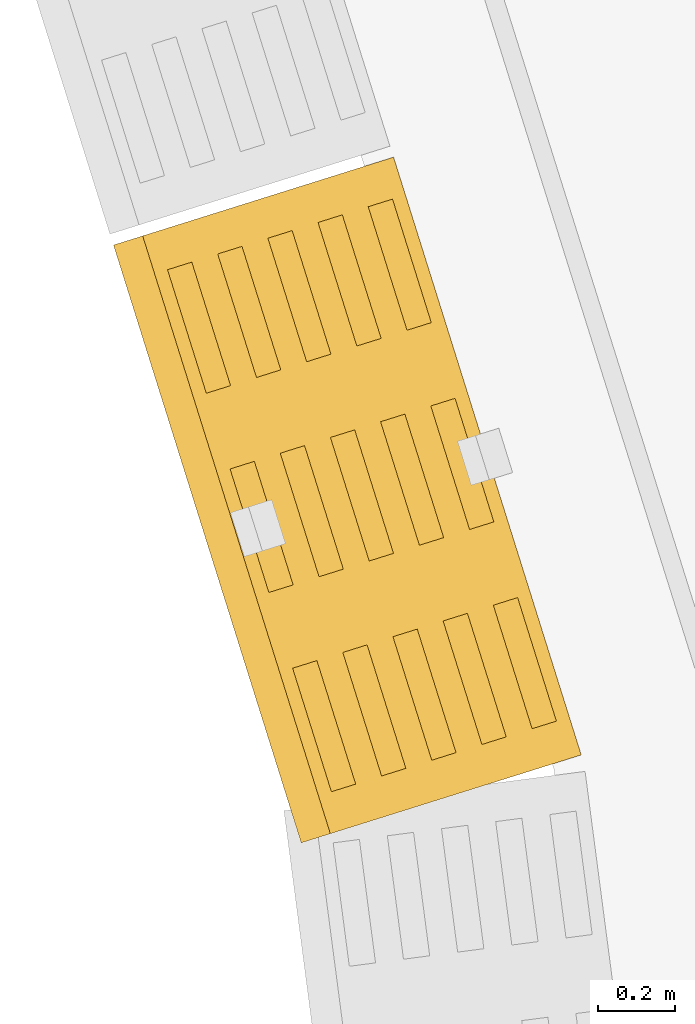
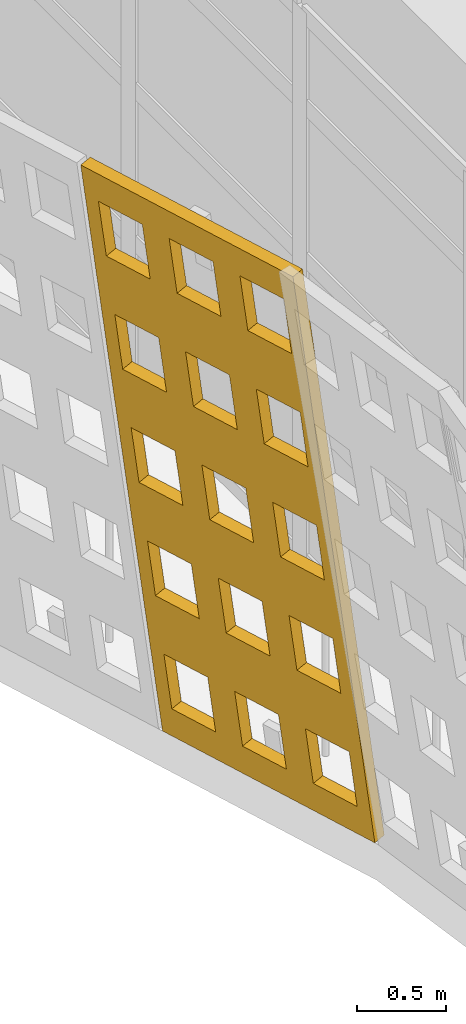
# One storey, part 152 of 163: 1 covering.
"""IFC4 building model written with IfcOpenShell, lengths in metres."""

from ifc_helpers import new_model, si_unit, direction, frame, origin, place, context, subcontext, project, spatial, polyline, outline, extrude, material, layer, layer_set, type_object, element, save


model = new_model("IFC4")

# Units and contexts
model_context = context("Model", 3, precision=1e-05, world=origin(), true_north=direction((0.0, 1.0)))
body_context = subcontext(model_context, "Body", "Model", "MODEL_VIEW")
ifc_project = project(units=[si_unit("LENGTHUNIT", "METRE"), si_unit("AREAUNIT", "SQUARE_METRE"), si_unit("VOLUMEUNIT", "CUBIC_METRE"), si_unit("PLANEANGLEUNIT", "RADIAN"), si_unit("MASSUNIT", "GRAM", prefix="KILO")], contexts=[model_context])

# Site, building, storey
site_placement = place(None, origin())
site = spatial("IfcSite", under=ifc_project, at=site_placement, CompositionType="ELEMENT")
building_placement = place(site_placement, origin())
building = spatial("IfcBuilding", under=site, at=building_placement, Name="Rain Tree Exposition and Congress Centre", CompositionType="ELEMENT")
storey_placement = place(building_placement, frame((0.0, 0.0, 10.5)))
storey = spatial("IfcBuildingStorey", under=building, at=storey_placement, Name="L02", CompositionType="ELEMENT", Elevation=10.5)

# Covering
ifc_material = material(Name="Perforated terracotta", Category="masonry")
ifc_layer = layer(ifc_material, 0.080078125)
ifc_layer_set = layer_set([ifc_layer], Name="Perforated terracotta")
covering_type = type_object("IfcCoveringType", Name="Terracotta screen 80", PredefinedType="CLADDING", material=ifc_layer_set)
covering_placement = place(storey_placement, frame((-1.8876953125, 28.35009765625, 0.0), z_axis=(0.942029390639, 0.295717964052, 0.158529217842), x_axis=(-0.29950542383, 0.954094597562, 0.0)))
element("IfcCovering", 1, at=covering_placement, inside=storey, type_object=covering_type, Name="wing/screen/L02/117", PredefinedType="CLADDING", context=body_context, shape_type="SweptSolid", body=[
    extrude(outline(polyline([(-1.635986328125, 0.0), (-1.635986328125, 4.291259765625), (-0.014892578125, 4.291259765625), (-0.014892578125, 0.0), (-1.635986328125, 0.0)]), holes=[polyline([(-0.11767578125, 0.221435546875), (-0.11767578125, 0.63671875), (-0.45263671875, 0.63671875), (-0.45263671875, 0.221435546875), (-0.11767578125, 0.221435546875)]), polyline([(-0.11767578125, 1.07958984375), (-0.11767578125, 1.4951171875), (-0.45263671875, 1.4951171875), (-0.45263671875, 1.07958984375), (-0.11767578125, 1.07958984375)]), polyline([(-0.11767578125, 1.93798828125), (-0.11767578125, 2.353271484375), (-0.45263671875, 2.353271484375), (-0.45263671875, 1.93798828125), (-0.11767578125, 1.93798828125)]), polyline([(-0.11767578125, 2.796142578125), (-0.11767578125, 3.21142578125), (-0.45263671875, 3.21142578125), (-0.45263671875, 2.796142578125), (-0.11767578125, 2.796142578125)]), polyline([(-0.11767578125, 3.654541015625), (-0.11767578125, 4.06982421875), (-0.45263671875, 4.06982421875), (-0.45263671875, 3.654541015625), (-0.11767578125, 3.654541015625)]), polyline([(-0.657958984375, 0.221435546875), (-0.657958984375, 0.63671875), (-0.992919921875, 0.63671875), (-0.992919921875, 0.221435546875), (-0.657958984375, 0.221435546875)]), polyline([(-0.657958984375, 1.07958984375), (-0.657958984375, 1.4951171875), (-0.992919921875, 1.4951171875), (-0.992919921875, 1.07958984375), (-0.657958984375, 1.07958984375)]), polyline([(-0.657958984375, 1.93798828125), (-0.657958984375, 2.353271484375), (-0.992919921875, 2.353271484375), (-0.992919921875, 1.93798828125), (-0.657958984375, 1.93798828125)]), polyline([(-0.657958984375, 2.796142578125), (-0.657958984375, 3.21142578125), (-0.992919921875, 3.21142578125), (-0.992919921875, 2.796142578125), (-0.657958984375, 2.796142578125)]), polyline([(-0.657958984375, 3.654541015625), (-0.657958984375, 4.06982421875), (-0.992919921875, 4.06982421875), (-0.992919921875, 3.654541015625), (-0.657958984375, 3.654541015625)]), polyline([(-1.1982421875, 0.221435546875), (-1.1982421875, 0.63671875), (-1.533203125, 0.63671875), (-1.533203125, 0.221435546875), (-1.1982421875, 0.221435546875)]), polyline([(-1.1982421875, 1.07958984375), (-1.1982421875, 1.4951171875), (-1.533203125, 1.4951171875), (-1.533203125, 1.07958984375), (-1.1982421875, 1.07958984375)]), polyline([(-1.1982421875, 1.93798828125), (-1.1982421875, 2.353271484375), (-1.533203125, 2.353271484375), (-1.533203125, 1.93798828125), (-1.1982421875, 1.93798828125)]), polyline([(-1.1982421875, 2.796142578125), (-1.1982421875, 3.21142578125), (-1.533203125, 3.21142578125), (-1.533203125, 2.796142578125), (-1.1982421875, 2.796142578125)]), polyline([(-1.1982421875, 3.654541015625), (-1.1982421875, 4.06982421875), (-1.533203125, 4.06982421875), (-1.533203125, 3.654541015625), (-1.1982421875, 3.654541015625)])]), origin(), (0.0, 0.0, 1.0), 0.080078125),
])

save(model, "model.ifc")
